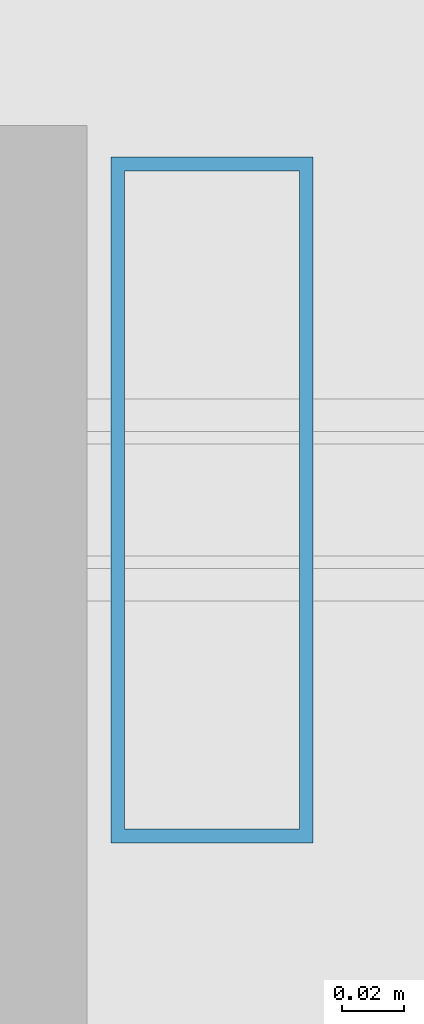
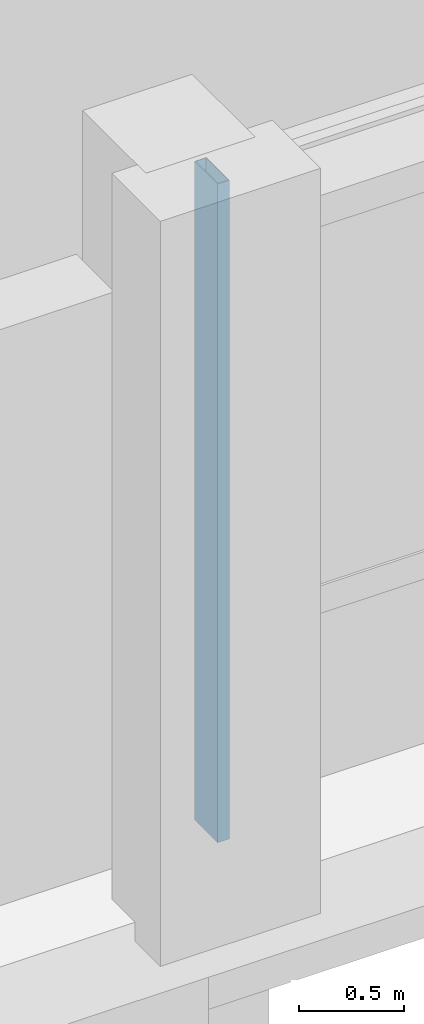
# One storey, part 24 of 68: 1 member, 1 element without a shape of its own.
"""IFC4 building model written with IfcOpenShell, lengths in metres."""

from ifc_helpers import new_model, si_unit, direction, frame, origin, origin_2d, place, context, subcontext, project, spatial, hollow_rectangle, extrude, material, material_profile, profile_set, type_object, element, aggregate, save


model = new_model("IFC4")

# Units and contexts
model_context = context("Model", 3, precision=1e-05, world=origin(), true_north=direction((0.0, 1.0)))
body_context = subcontext(model_context, "Body", "Model", "MODEL_VIEW")
ifc_project = project(units=[si_unit("LENGTHUNIT", "METRE"), si_unit("AREAUNIT", "SQUARE_METRE"), si_unit("VOLUMEUNIT", "CUBIC_METRE"), si_unit("PLANEANGLEUNIT", "RADIAN"), si_unit("MASSUNIT", "GRAM", prefix="KILO")], contexts=[model_context])

# Site, building, storey
site_placement = place(None, origin())
site = spatial("IfcSite", under=ifc_project, at=site_placement, CompositionType="ELEMENT")
building_placement = place(site_placement, origin())
building = spatial("IfcBuilding", under=site, at=building_placement, Name="Akrevak Sports Hall", CompositionType="ELEMENT")
storey_placement = place(building_placement, frame((0.0, 0.0, 9.39990234375)))
storey = spatial("IfcBuildingStorey", under=building, at=storey_placement, Name="L02", CompositionType="ELEMENT", Elevation=9.39990234375)

# Curtain wall, member
ifc_material_1 = material(Name="Anodized Bronze Aluminium & Low-E Glass", Category="aluminium")
curtain_wall_type = type_object("IfcCurtainWallType", Name="ARC-CW-POD-70x42", PredefinedType="NOTDEFINED", material=ifc_material_1)
curtain_wall_placement = place(storey_placement, origin())
curtain_wall = element("IfcCurtainWall", 1, at=curtain_wall_placement, inside=storey, type_object=curtain_wall_type, Name="Curtain Wall CW-L02-S13", PredefinedType="NOTDEFINED")
ifc_material_2 = material(Name="Anodized Bronze Aluminium", Category="aluminium")
ifc_material_profile = material_profile(ifc_material_2, hollow_rectangle(XDim=0.06494140625, YDim=0.219970703125, WallThickness=0.00439453125, at=origin_2d()), Name="CWM 65x220", Category="aluminium")
ifc_profile_set = profile_set([ifc_material_profile], Name="Anodized Bronze Aluminium")
member_type = type_object("IfcMemberType", Name="ARC-CWM-70x160", PredefinedType="MULLION", material=ifc_profile_set)
member_placement = place(storey_placement, frame((108.340087890625, 0.179931640625, 0.0), z_axis=(0.0, 0.0, 1.0), x_axis=(1.0, 0.0, 0.0)))
member = element("IfcMember", 2, at=member_placement, type_object=member_type, Name="Curtain Wall Mullion CW-L02-S13-M1", PredefinedType="MULLION", context=body_context, shape_type="SweptSolid", body=[
    extrude(hollow_rectangle(XDim=0.06494140625, YDim=0.219970703125, WallThickness=0.00439453125, at=origin_2d()), origin(), (0.0, 0.0, 1.0), 3.820068359375),
])
aggregate(curtain_wall, [member])

save(model, "model.ifc")
